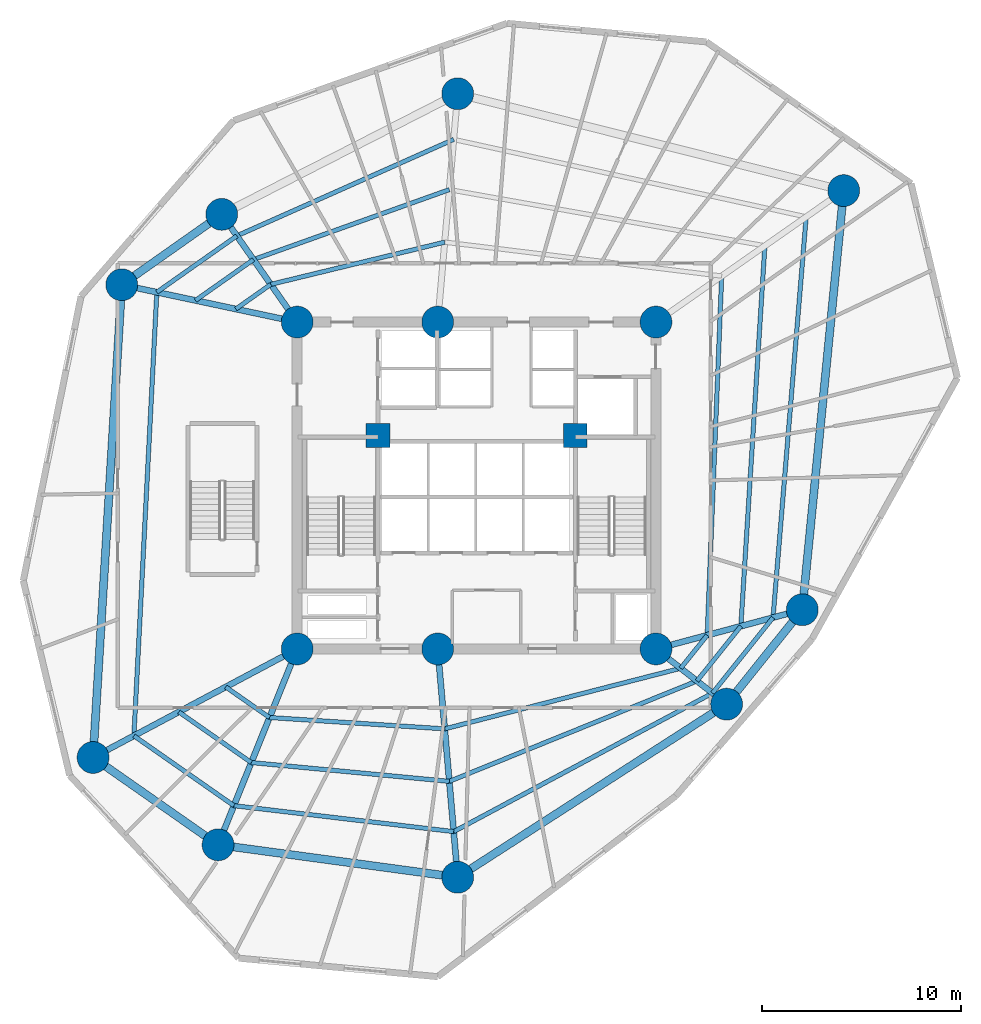
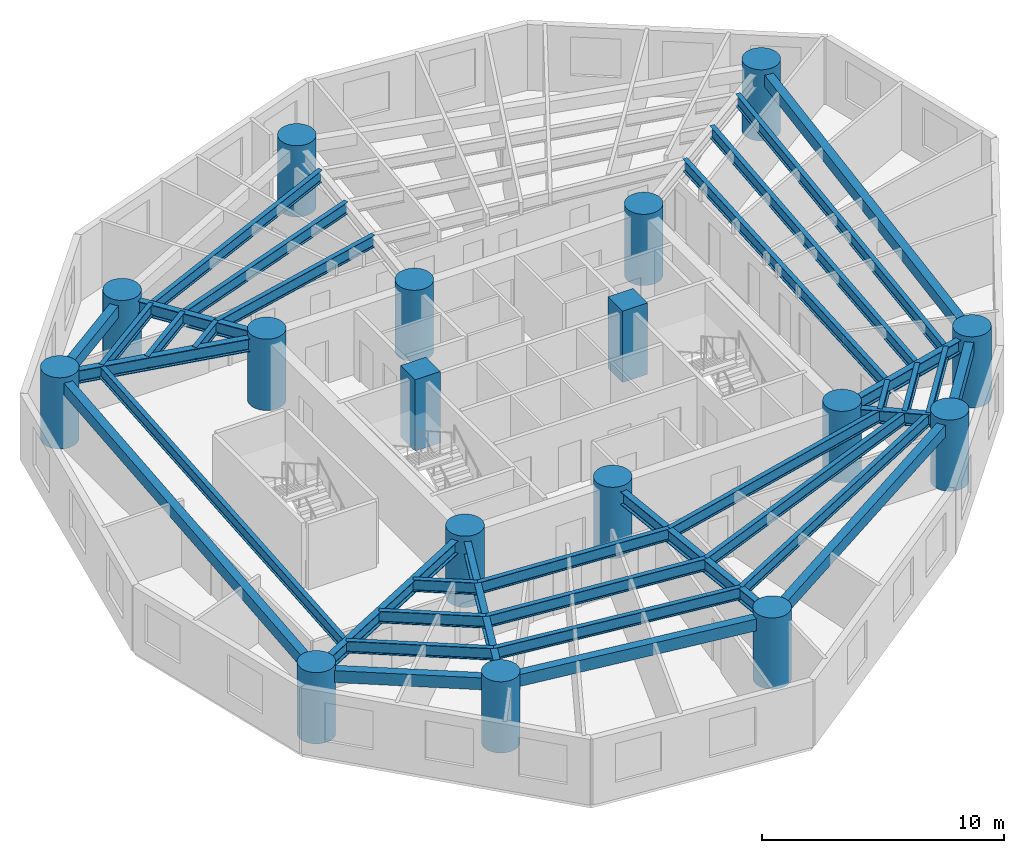
# One storey, part 1 of 8: 36 beams, 17 columns.
"""IFC4 building model written with IfcOpenShell, lengths in metres."""

from ifc_helpers import new_model, si_unit, direction, frame, origin, origin_with_axes, origin_2d, place, context, subcontext, project, spatial, rectangle, circle, i_section, extrude, source, transform, mapped, material, material_profile, profile_set, type_object, element, save


model = new_model("IFC4")

# Units and contexts
model_context = context("Model", 3, precision=1e-05, world=origin(), true_north=direction((0.0, 1.0)))
body_context = subcontext(model_context, "Body", "Model", "MODEL_VIEW")
ifc_project = project(units=[si_unit("LENGTHUNIT", "METRE"), si_unit("AREAUNIT", "SQUARE_METRE"), si_unit("VOLUMEUNIT", "CUBIC_METRE"), si_unit("PLANEANGLEUNIT", "RADIAN"), si_unit("MASSUNIT", "GRAM", prefix="KILO")], contexts=[model_context])

# Site, building, storey
site_placement = place(None, origin())
site = spatial("IfcSite", under=ifc_project, at=site_placement, CompositionType="ELEMENT")
building_placement = place(site_placement, origin())
building = spatial("IfcBuilding", under=site, at=building_placement, Name="Karkom Vertical University and Central Library", CompositionType="ELEMENT")
storey_placement = place(building_placement, frame((0.0, 0.0, 84.10009765625)))
storey = spatial("IfcBuildingStorey", under=building, at=storey_placement, Name="L22", CompositionType="ELEMENT", Elevation=84.10009765625)

# Columns
ifc_material_1 = material(Name="Concrete C50/60", Category="concrete")
ifc_material_profile_1 = material_profile(ifc_material_1, circle(Radius=0.800048828125, at=origin_2d()), Name="CFT-D1600")
ifc_profile_set_1 = profile_set([ifc_material_profile_1], Name="Concrete C50/60")
column_type_1 = type_object("IfcColumnType", Name="STR-COL-C-SC2", PredefinedType="COLUMN", material=ifc_profile_set_1)
shared_shape_1 = source(origin_with_axes(), body_context, "Body", "SweptSolid", [
    extrude(circle(Radius=0.800048828125, at=origin_2d()), origin(), (0.0, 0.0, 1.0), 3.599853515625),
])
for number, where, z_axis, x_axis, name in (
    (1, (19.5, 18.300048828125, 0.0), (0.0, 0.0, 1.0), (1.0, 0.0, 0.0), "Level 22 Spine Mega-Column SC-1"),
    (2, (26.550048828125, 18.300048828125, 0.0), (0.0, 0.0, 1.0), (1.0, 0.0, 0.0), "Level 22 Spine Mega-Column SC-2"),
    (3, (37.5, 18.300048828125, 0.0), (0.0, 0.0, 1.0), (1.0, 0.0, 0.0), "Level 22 Spine Mega-Column SC-3"),
    (4, (19.5, 34.699951171875, 0.0), (0.0, 0.0, 1.0), (1.0, 0.0, 0.0), "Level 22 Spine Mega-Column SC-4"),
    (5, (26.550048828125, 34.699951171875, 0.0), (0.0, 0.0, 1.0), (1.0, 0.0, 0.0), "Level 22 Spine Mega-Column SC-5"),
    (6, (37.5, 34.699951171875, 0.0), (0.0, 0.0, 1.0), (1.0, 0.0, 0.0), "Level 22 Spine Mega-Column SC-6"),
    (7, (44.841064453125, 20.26708984375, 0.0), (0.0, 0.0, 1.0), (1.0, 0.0, 0.0), "Level 22 Perimeter Mega-Column Z1-PC1"),
    (8, (46.919921875, 41.2958984375, 0.0), (0.0, 0.0, 1.0), (1.0, 0.0, 0.0), "Level 22 Perimeter Mega-Column Z1-PC2"),
    (9, (27.552001953125, 46.156005859375, 0.0), (0.0, 0.0, 1.0), (1.0, 0.0, 0.0), "Level 22 Perimeter Mega-Column Z1-PC3"),
    (10, (15.714111328125, 40.10595703125, 0.0), (0.0, 0.0, 1.0), (1.0, 0.0, 0.0), "Level 22 Perimeter Mega-Column Z1-PC4"),
    (11, (10.697021484375, 36.571044921875, 0.0), (0.0, 0.0, 1.0), (1.0, 0.0, 0.0), "Level 22 Perimeter Mega-Column Z1-PC5"),
    (12, (9.258056640625, 12.85400390625, 0.0), (0.0, 0.0, 1.0), (1.0, 0.0, 0.0), "Level 22 Perimeter Mega-Column Z1-PC6"),
    (13, (15.529052734375, 8.471923828125, 0.0), (0.0, 0.0, 1.0), (1.0, 0.0, 0.0), "Level 22 Perimeter Mega-Column Z1-PC7"),
    (14, (27.552001953125, 6.843994140625, 0.0), (0.0, 0.0, 1.0), (1.0, 0.0, 0.0), "Level 22 Perimeter Mega-Column Z1-PC8"),
    (15, (41.0458984375, 15.530029296875, 0.0), (0.0, 0.0, 1.0), (1.0, 0.0, 0.0), "Level 22 Perimeter Mega-Column Z1-PC9"),
):
    element("IfcColumn", number, at=place(storey_placement, frame(where, z_axis=z_axis, x_axis=x_axis)), inside=storey, type_object=column_type_1, Name=name, PredefinedType="COLUMN", context=body_context, shape_type="MappedRepresentation", body=[
        mapped(shared_shape_1, transform((0.0, 0.0, 0.0), scale=1.0)),
    ])
ifc_material_profile_2 = material_profile(ifc_material_1, rectangle(XDim=1.199951171875, YDim=1.199951171875, at=origin_2d()), Name="RC-1200x1200")
ifc_profile_set_2 = profile_set([ifc_material_profile_2], Name="Concrete C50/60")
column_type_2 = type_object("IfcColumnType", Name="STR-COL-C-CC1", PredefinedType="COLUMN", material=ifc_profile_set_2)
shared_shape_2 = source(origin_with_axes(), body_context, "Body", "SweptSolid", [
    extrude(rectangle(XDim=1.199951171875, YDim=1.199951171875, at=origin_2d()), origin(), (0.0, 0.0, 1.0), 3.599853515625),
])
for number, where, z_axis, x_axis, name in (
    (16, (23.550048828125, 29.0, 0.0), (0.0, 0.0, 1.0), (1.0, 0.0, 0.0), "Level 22 Core Node Column CC-1"),
    (17, (33.449951171875, 29.0, 0.0), (0.0, 0.0, 1.0), (1.0, 0.0, 0.0), "Level 22 Core Node Column CC-2"),
):
    element("IfcColumn", number, at=place(storey_placement, frame(where, z_axis=z_axis, x_axis=x_axis)), inside=storey, type_object=column_type_2, Name=name, PredefinedType="COLUMN", context=body_context, shape_type="MappedRepresentation", body=[
        mapped(shared_shape_2, transform((0.0, 0.0, 0.0), scale=1.0)),
    ])

# Beams
ifc_material_2 = material(Name="Steel S355", Category="steel")
ifc_material_profile_3 = material_profile(ifc_material_2, i_section(OverallWidth=0.300048828125, OverallDepth=0.64990234375, WebThickness=0.01611328125, FlangeThickness=0.031005859375, FilletRadius=0.027099609375, at=origin_2d()), Name="HE 650 B")
ifc_profile_set_3 = profile_set([ifc_material_profile_3], Name="Steel S355")
beam_type_1 = type_object("IfcBeamType", Name="STR-BM-SB-HE650", PredefinedType="USERDEFINED", material=ifc_profile_set_3)
shared_shape_3 = source(origin_with_axes(), body_context, "Body", "SweptSolid", [
    extrude(i_section(OverallWidth=0.300048828125, OverallDepth=0.64990234375, WebThickness=0.01611328125, FlangeThickness=0.031005859375, FilletRadius=0.027099609375, at=origin_2d()), origin(), (0.0, 0.0, 1.0), 7.60009765625),
])
beam_1_placement = place(storey_placement, frame((37.5, 18.300048828125, 3.0), z_axis=(0.965925539322, 0.258820116077, 0.0), x_axis=(-0.258820116077, 0.965925539322, 0.0)))
element("IfcBeam", 18, at=beam_1_placement, inside=storey, type_object=beam_type_1, Name="Level 22 Radial Frame Girder 01", ObjectType="GIRDER", PredefinedType="USERDEFINED", context=body_context, shape_type="MappedRepresentation", body=[
    mapped(shared_shape_3, transform((0.0, 0.0, 0.0), scale=1.0)),
])
shared_shape_4 = source(origin_with_axes(), body_context, "Body", "SweptSolid", [
    extrude(i_section(OverallWidth=0.300048828125, OverallDepth=0.64990234375, WebThickness=0.01611328125, FlangeThickness=0.031005859375, FilletRadius=0.027099609375, at=origin_2d()), origin(), (0.0, 0.0, 1.0), 11.499755859375),
])
beam_2_placement = place(storey_placement, frame((26.550048828125, 18.300048828125, 3.0), z_axis=(0.087127973109, -0.99619712723, 0.0), x_axis=(0.99619712723, 0.087127973109, 0.0)))
element("IfcBeam", 19, at=beam_2_placement, inside=storey, type_object=beam_type_1, Name="Level 22 Radial Frame Girder 08", ObjectType="GIRDER", PredefinedType="USERDEFINED", context=body_context, shape_type="MappedRepresentation", body=[
    mapped(shared_shape_4, transform((0.0, 0.0, 0.0), scale=1.0)),
])
shared_shape_5 = source(origin_with_axes(), body_context, "Body", "SweptSolid", [
    extrude(i_section(OverallWidth=0.300048828125, OverallDepth=0.64990234375, WebThickness=0.01611328125, FlangeThickness=0.031005859375, FilletRadius=0.027099609375, at=origin_2d()), origin(), (0.0, 0.0, 1.0), 6.599853515625),
])
beam_3_placement = place(storey_placement, frame((19.5, 34.699951171875, 3.0), z_axis=(-0.573633636671, 0.819111989218, 0.0), x_axis=(-0.819111989218, -0.573633636671, 0.0)))
element("IfcBeam", 20, at=beam_3_placement, inside=storey, type_object=beam_type_1, Name="Level 22 Radial Frame Girder 04", ObjectType="GIRDER", PredefinedType="USERDEFINED", context=body_context, shape_type="MappedRepresentation", body=[
    mapped(shared_shape_5, transform((0.0, 0.0, 0.0), scale=1.0)),
])
shared_shape_6 = source(origin_with_axes(), body_context, "Body", "SweptSolid", [
    extrude(i_section(OverallWidth=0.300048828125, OverallDepth=0.64990234375, WebThickness=0.01611328125, FlangeThickness=0.031005859375, FilletRadius=0.027099609375, at=origin_2d()), origin(), (0.0, 0.0, 1.0), 8.999755859375),
])
beam_4_placement = place(storey_placement, frame((19.5, 34.699951171875, 3.0), z_axis=(-0.978148438993, 0.207907747079, 0.0), x_axis=(-0.207907747079, -0.978148438993, 0.0)))
element("IfcBeam", 21, at=beam_4_placement, inside=storey, type_object=beam_type_1, Name="Level 22 Radial Frame Girder 05", ObjectType="GIRDER", PredefinedType="USERDEFINED", context=body_context, shape_type="MappedRepresentation", body=[
    mapped(shared_shape_6, transform((0.0, 0.0, 0.0), scale=1.0)),
])
shared_shape_7 = source(origin_with_axes(), body_context, "Body", "SweptSolid", [
    extrude(i_section(OverallWidth=0.300048828125, OverallDepth=0.64990234375, WebThickness=0.01611328125, FlangeThickness=0.031005859375, FilletRadius=0.027099609375, at=origin_2d()), origin(), (0.0, 0.0, 1.0), 11.599853515625),
])
beam_5_placement = place(storey_placement, frame((19.5, 18.300048828125, 3.0), z_axis=(-0.882936620635, -0.469492197957, 0.0), x_axis=(0.469492197957, -0.882936620635, 0.0)))
element("IfcBeam", 22, at=beam_5_placement, inside=storey, type_object=beam_type_1, Name="Level 22 Radial Frame Girder 06", ObjectType="GIRDER", PredefinedType="USERDEFINED", context=body_context, shape_type="MappedRepresentation", body=[
    mapped(shared_shape_7, transform((0.0, 0.0, 0.0), scale=1.0)),
])
shared_shape_8 = source(origin_with_axes(), body_context, "Body", "SweptSolid", [
    extrude(i_section(OverallWidth=0.300048828125, OverallDepth=0.64990234375, WebThickness=0.01611328125, FlangeThickness=0.031005859375, FilletRadius=0.027099609375, at=origin_2d()), origin(), (0.0, 0.0, 1.0), 10.60009765625),
])
beam_6_placement = place(storey_placement, frame((19.5, 18.300048828125, 3.0), z_axis=(-0.374616894394, -0.927179692635, 0.0), x_axis=(0.927179692635, -0.374616894394, 0.0)))
element("IfcBeam", 23, at=beam_6_placement, inside=storey, type_object=beam_type_1, Name="Level 22 Radial Frame Girder 07", ObjectType="GIRDER", PredefinedType="USERDEFINED", context=body_context, shape_type="MappedRepresentation", body=[
    mapped(shared_shape_8, transform((0.0, 0.0, 0.0), scale=1.0)),
])
shared_shape_9 = source(origin_with_axes(), body_context, "Body", "SweptSolid", [
    extrude(i_section(OverallWidth=0.300048828125, OverallDepth=0.64990234375, WebThickness=0.01611328125, FlangeThickness=0.031005859375, FilletRadius=0.027099609375, at=origin_2d()), origin(), (0.0, 0.0, 1.0), 4.49951171875),
])
beam_7_placement = place(storey_placement, frame((37.5, 18.300048828125, 3.0), z_axis=(0.788047405801, -0.615614559778, 0.0), x_axis=(0.615614559778, 0.788047405801, 0.0)))
element("IfcBeam", 24, at=beam_7_placement, inside=storey, type_object=beam_type_1, Name="Level 22 Radial Frame Girder 09", ObjectType="GIRDER", PredefinedType="USERDEFINED", context=body_context, shape_type="MappedRepresentation", body=[
    mapped(shared_shape_9, transform((0.0, 0.0, 0.0), scale=1.0)),
])
ifc_material_3 = material(Name="Precast concrete C45/55", Category="concrete")
ifc_material_profile_4 = material_profile(ifc_material_3, rectangle(XDim=0.39990234375, YDim=0.60009765625, at=origin_2d()), Name="SPB-400x600")
ifc_profile_set_4 = profile_set([ifc_material_profile_4], Name="Precast concrete C45/55")
beam_type_2 = type_object("IfcBeamType", Name="STR-BM-SP-1", PredefinedType="SPANDREL", material=ifc_profile_set_4)
shared_shape_10 = source(origin_with_axes(), body_context, "Body", "SweptSolid", [
    extrude(rectangle(XDim=0.39990234375, YDim=0.60009765625, at=origin_2d()), origin(), (0.0, 0.0, 1.0), 21.13134765625),
])
beam_8_placement = place(storey_placement, frame((44.841064453125, 20.26708984375, 3.02490234375), z_axis=(0.0983780471, 0.995149114379, 0.0), x_axis=(-0.995149114379, 0.0983780471, 0.0)))
element("IfcBeam", 25, at=beam_8_placement, inside=storey, type_object=beam_type_2, Name="Level 22 Perimeter Spandrel Beam 01", PredefinedType="SPANDREL", context=body_context, shape_type="MappedRepresentation", body=[
    mapped(shared_shape_10, transform((0.0, 0.0, 0.0), scale=1.0)),
])
shared_shape_11 = source(origin_with_axes(), body_context, "Body", "SweptSolid", [
    extrude(rectangle(XDim=0.39990234375, YDim=0.60009765625, at=origin_2d()), origin(), (0.0, 0.0, 1.0), 6.13720703125),
])
beam_9_placement = place(storey_placement, frame((15.714111328125, 40.10595703125, 3.02490234375), z_axis=(-0.817471365538, -0.575969240955, 0.0), x_axis=(0.575969240955, -0.817471365538, 0.0)))
element("IfcBeam", 26, at=beam_9_placement, inside=storey, type_object=beam_type_2, Name="Level 22 Perimeter Spandrel Beam 04", PredefinedType="SPANDREL", context=body_context, shape_type="MappedRepresentation", body=[
    mapped(shared_shape_11, transform((0.0, 0.0, 0.0), scale=1.0)),
])
shared_shape_12 = source(origin_with_axes(), body_context, "Body", "SweptSolid", [
    extrude(rectangle(XDim=0.39990234375, YDim=0.60009765625, at=origin_2d()), origin(), (0.0, 0.0, 1.0), 23.7607421875),
])
beam_10_placement = place(storey_placement, frame((10.697021484375, 36.571044921875, 3.02490234375), z_axis=(-0.060560827767, -0.998164508556, 0.0), x_axis=(0.998164508556, -0.060560827767, 0.0)))
element("IfcBeam", 27, at=beam_10_placement, inside=storey, type_object=beam_type_2, Name="Level 22 Perimeter Spandrel Beam 05", PredefinedType="SPANDREL", context=body_context, shape_type="MappedRepresentation", body=[
    mapped(shared_shape_12, transform((0.0, 0.0, 0.0), scale=1.0)),
])
shared_shape_13 = source(origin_with_axes(), body_context, "Body", "SweptSolid", [
    extrude(rectangle(XDim=0.39990234375, YDim=0.60009765625, at=origin_2d()), origin(), (0.0, 0.0, 1.0), 7.650390625),
])
beam_11_placement = place(storey_placement, frame((9.258056640625, 12.85400390625, 3.02490234375), z_axis=(0.819699409527, -0.572793922822, 0.0), x_axis=(0.572793922822, 0.819699409527, 0.0)))
element("IfcBeam", 28, at=beam_11_placement, inside=storey, type_object=beam_type_2, Name="Level 22 Perimeter Spandrel Beam 06", PredefinedType="SPANDREL", context=body_context, shape_type="MappedRepresentation", body=[
    mapped(shared_shape_13, transform((0.0, 0.0, 0.0), scale=1.0)),
])
shared_shape_14 = source(origin_with_axes(), body_context, "Body", "SweptSolid", [
    extrude(rectangle(XDim=0.39990234375, YDim=0.60009765625, at=origin_2d()), origin(), (0.0, 0.0, 1.0), 12.132568359375),
])
beam_12_placement = place(storey_placement, frame((15.529052734375, 8.471923828125, 3.02490234375), z_axis=(0.990957319008, -0.134177464223, 0.0), x_axis=(0.134177464223, 0.990957319008, 0.0)))
element("IfcBeam", 29, at=beam_12_placement, inside=storey, type_object=beam_type_2, Name="Level 22 Perimeter Spandrel Beam 07", PredefinedType="SPANDREL", context=body_context, shape_type="MappedRepresentation", body=[
    mapped(shared_shape_14, transform((0.0, 0.0, 0.0), scale=1.0)),
])
shared_shape_15 = source(origin_with_axes(), body_context, "Body", "SweptSolid", [
    extrude(rectangle(XDim=0.39990234375, YDim=0.60009765625, at=origin_2d()), origin(), (0.0, 0.0, 1.0), 16.0478515625),
])
beam_13_placement = place(storey_placement, frame((27.552001953125, 6.843994140625, 3.02490234375), z_axis=(0.84085555045, 0.541259589548, 0.0), x_axis=(-0.541259589548, 0.84085555045, 0.0)))
element("IfcBeam", 30, at=beam_13_placement, inside=storey, type_object=beam_type_2, Name="Level 22 Perimeter Spandrel Beam 08", PredefinedType="SPANDREL", context=body_context, shape_type="MappedRepresentation", body=[
    mapped(shared_shape_15, transform((0.0, 0.0, 0.0), scale=1.0)),
])
shared_shape_16 = source(origin_with_axes(), body_context, "Body", "SweptSolid", [
    extrude(rectangle(XDim=0.39990234375, YDim=0.60009765625, at=origin_2d()), origin(), (0.0, 0.0, 1.0), 6.06982421875),
])
beam_14_placement = place(storey_placement, frame((41.0458984375, 15.530029296875, 3.02490234375), z_axis=(0.625249167344, 0.780425190992, 0.0), x_axis=(-0.780425190992, 0.625249167344, 0.0)))
element("IfcBeam", 31, at=beam_14_placement, inside=storey, type_object=beam_type_2, Name="Level 22 Perimeter Spandrel Beam 09", PredefinedType="SPANDREL", context=body_context, shape_type="MappedRepresentation", body=[
    mapped(shared_shape_16, transform((0.0, 0.0, 0.0), scale=1.0)),
])
ifc_material_profile_5 = material_profile(ifc_material_2, i_section(OverallWidth=0.219970703125, OverallDepth=0.60009765625, WebThickness=0.011962890625, FlangeThickness=0.01904296875, FilletRadius=0.02392578125, at=origin_2d()), Name="IPE 600")
ifc_profile_set_5 = profile_set([ifc_material_profile_5], Name="Steel S355")
beam_type_3 = type_object("IfcBeamType", Name="STR-BM-SB-IPE600", PredefinedType="BEAM", material=ifc_profile_set_5)
shared_shape_17 = source(origin_with_axes(), body_context, "Body", "SweptSolid", [
    extrude(i_section(OverallWidth=0.219970703125, OverallDepth=0.60009765625, WebThickness=0.011962890625, FlangeThickness=0.01904296875, FilletRadius=0.02392578125, at=origin_2d()), origin(), (0.0, 0.0, 1.0), 18.03466796875),
])
beam_15_placement = place(storey_placement, frame((40.0693359375, 18.988525390625, 3.02490234375), z_axis=(0.04035458262, 0.999185422062, 0.0), x_axis=(-0.999185422062, 0.04035458262, 0.0)))
element("IfcBeam", 32, at=beam_15_placement, inside=storey, type_object=beam_type_3, Name="Level 22 Secondary Composite Floor Beam 1.01", PredefinedType="BEAM", context=body_context, shape_type="MappedRepresentation", body=[
    mapped(shared_shape_17, transform((0.0, 0.0, 0.0), scale=1.0)),
])
shared_shape_18 = source(origin_with_axes(), body_context, "Body", "SweptSolid", [
    extrude(i_section(OverallWidth=0.219970703125, OverallDepth=0.60009765625, WebThickness=0.011962890625, FlangeThickness=0.01904296875, FilletRadius=0.02392578125, at=origin_2d()), origin(), (0.0, 0.0, 1.0), 8.97900390625),
])
beam_16_placement = place(storey_placement, frame((26.900634765625, 38.709716796875, 3.02490234375), z_axis=(-0.971790837509, -0.235844372697, 0.0), x_axis=(0.235844372697, -0.971790837509, 0.0)))
element("IfcBeam", 33, at=beam_16_placement, inside=storey, type_object=beam_type_3, Name="Level 22 Secondary Composite Floor Beam 1.03", PredefinedType="BEAM", context=body_context, shape_type="MappedRepresentation", body=[
    mapped(shared_shape_18, transform((0.0, 0.0, 0.0), scale=1.0)),
])
shared_shape_19 = source(origin_with_axes(), body_context, "Body", "SweptSolid", [
    extrude(i_section(OverallWidth=0.219970703125, OverallDepth=0.60009765625, WebThickness=0.011962890625, FlangeThickness=0.01904296875, FilletRadius=0.02392578125, at=origin_2d()), origin(), (0.0, 0.0, 1.0), 2.14794921875),
])
beam_17_placement = place(storey_placement, frame((18.1748046875, 36.592041015625, 3.02490234375), z_axis=(-0.817433780971, -0.576022580918, 0.0), x_axis=(0.576022580918, -0.817433780971, 0.0)))
element("IfcBeam", 34, at=beam_17_placement, inside=storey, type_object=beam_type_3, Name="Level 22 Secondary Composite Floor Beam 1.04", PredefinedType="BEAM", context=body_context, shape_type="MappedRepresentation", body=[
    mapped(shared_shape_19, transform((0.0, 0.0, 0.0), scale=1.0)),
])
shared_shape_20 = source(origin_with_axes(), body_context, "Body", "SweptSolid", [
    extrude(i_section(OverallWidth=0.219970703125, OverallDepth=0.60009765625, WebThickness=0.011962890625, FlangeThickness=0.01904296875, FilletRadius=0.02392578125, at=origin_2d()), origin(), (0.0, 0.0, 1.0), 2.677490234375),
])
beam_18_placement = place(storey_placement, frame((15.915283203125, 16.393798828125, 3.02490234375), z_axis=(0.819702839548, -0.572789014243, 0.0), x_axis=(0.572789014243, 0.819702839548, 0.0)))
element("IfcBeam", 35, at=beam_18_placement, inside=storey, type_object=beam_type_3, Name="Level 22 Secondary Composite Floor Beam 1.06", PredefinedType="BEAM", context=body_context, shape_type="MappedRepresentation", body=[
    mapped(shared_shape_20, transform((0.0, 0.0, 0.0), scale=1.0)),
])
shared_shape_21 = source(origin_with_axes(), body_context, "Body", "SweptSolid", [
    extrude(i_section(OverallWidth=0.219970703125, OverallDepth=0.60009765625, WebThickness=0.011962890625, FlangeThickness=0.01904296875, FilletRadius=0.02392578125, at=origin_2d()), origin(), (0.0, 0.0, 1.0), 8.80908203125),
])
beam_19_placement = place(storey_placement, frame((18.110107421875, 14.860107421875, 3.02490234375), z_axis=(0.997905617906, -0.064686766433, 0.0), x_axis=(0.064686766433, 0.997905617906, 0.0)))
element("IfcBeam", 36, at=beam_19_placement, inside=storey, type_object=beam_type_3, Name="Level 22 Secondary Composite Floor Beam 1.07", PredefinedType="BEAM", context=body_context, shape_type="MappedRepresentation", body=[
    mapped(shared_shape_21, transform((0.0, 0.0, 0.0), scale=1.0)),
])
shared_shape_22 = source(origin_with_axes(), body_context, "Body", "SweptSolid", [
    extrude(i_section(OverallWidth=0.219970703125, OverallDepth=0.60009765625, WebThickness=0.011962890625, FlangeThickness=0.01904296875, FilletRadius=0.02392578125, at=origin_2d()), origin(), (0.0, 0.0, 1.0), 12.224609375),
])
beam_20_placement = place(storey_placement, frame((26.900634765625, 14.290283203125, 3.02490234375), z_axis=(0.968580403264, 0.248700628092, 0.0), x_axis=(-0.248700628092, 0.968580403264, 0.0)))
element("IfcBeam", 37, at=beam_20_placement, inside=storey, type_object=beam_type_3, Name="Level 22 Secondary Composite Floor Beam 1.08", PredefinedType="BEAM", context=body_context, shape_type="MappedRepresentation", body=[
    mapped(shared_shape_22, transform((0.0, 0.0, 0.0), scale=1.0)),
])
shared_shape_23 = source(origin_with_axes(), body_context, "Body", "SweptSolid", [
    extrude(i_section(OverallWidth=0.219970703125, OverallDepth=0.60009765625, WebThickness=0.011962890625, FlangeThickness=0.01904296875, FilletRadius=0.02392578125, at=origin_2d()), origin(), (0.0, 0.0, 1.0), 2.124267578125),
])
beam_21_placement = place(storey_placement, frame((38.7412109375, 17.33056640625, 3.02490234375), z_axis=(0.625199471959, 0.780465002587, 0.0), x_axis=(-0.780465002587, 0.625199471959, 0.0)))
element("IfcBeam", 38, at=beam_21_placement, inside=storey, type_object=beam_type_3, Name="Level 22 Secondary Composite Floor Beam 1.09", PredefinedType="BEAM", context=body_context, shape_type="MappedRepresentation", body=[
    mapped(shared_shape_23, transform((0.0, 0.0, 0.0), scale=1.0)),
])
shared_shape_24 = source(origin_with_axes(), body_context, "Body", "SweptSolid", [
    extrude(i_section(OverallWidth=0.219970703125, OverallDepth=0.60009765625, WebThickness=0.011962890625, FlangeThickness=0.01904296875, FilletRadius=0.02392578125, at=origin_2d()), origin(), (0.0, 0.0, 1.0), 19.122802734375),
])
beam_22_placement = place(storey_placement, frame((41.7578125, 19.44091796875, 3.02490234375), z_axis=(0.063056264597, 0.998009973645, 0.0), x_axis=(-0.998009973645, 0.063056264597, 0.0)))
element("IfcBeam", 39, at=beam_22_placement, inside=storey, type_object=beam_type_3, Name="Level 22 Secondary Composite Floor Beam 2.01", PredefinedType="BEAM", context=body_context, shape_type="MappedRepresentation", body=[
    mapped(shared_shape_24, transform((0.0, 0.0, 0.0), scale=1.0)),
])
shared_shape_25 = source(origin_with_axes(), body_context, "Body", "SweptSolid", [
    extrude(i_section(OverallWidth=0.219970703125, OverallDepth=0.60009765625, WebThickness=0.011962890625, FlangeThickness=0.01904296875, FilletRadius=0.02392578125, at=origin_2d()), origin(), (0.0, 0.0, 1.0), 10.4345703125),
])
beam_23_placement = place(storey_placement, frame((27.131103515625, 41.344482421875, 3.02490234375), z_axis=(-0.941759378798, -0.336287484819, 0.0), x_axis=(0.336287484819, -0.941759378798, 0.0)))
element("IfcBeam", 40, at=beam_23_placement, inside=storey, type_object=beam_type_3, Name="Level 22 Secondary Composite Floor Beam 2.03", PredefinedType="BEAM", context=body_context, shape_type="MappedRepresentation", body=[
    mapped(shared_shape_25, transform((0.0, 0.0, 0.0), scale=1.0)),
])
shared_shape_26 = source(origin_with_axes(), body_context, "Body", "SweptSolid", [
    extrude(i_section(OverallWidth=0.219970703125, OverallDepth=0.60009765625, WebThickness=0.011962890625, FlangeThickness=0.01904296875, FilletRadius=0.02392578125, at=origin_2d()), origin(), (0.0, 0.0, 1.0), 3.5595703125),
])
beam_24_placement = place(storey_placement, frame((17.30419921875, 37.83544921875, 3.02490234375), z_axis=(-0.817465552849, -0.575977490798, 0.0), x_axis=(0.575977490798, -0.817465552849, 0.0)))
element("IfcBeam", 41, at=beam_24_placement, inside=storey, type_object=beam_type_3, Name="Level 22 Secondary Composite Floor Beam 2.04", PredefinedType="BEAM", context=body_context, shape_type="MappedRepresentation", body=[
    mapped(shared_shape_26, transform((0.0, 0.0, 0.0), scale=1.0)),
])
shared_shape_27 = source(origin_with_axes(), body_context, "Body", "SweptSolid", [
    extrude(i_section(OverallWidth=0.219970703125, OverallDepth=0.60009765625, WebThickness=0.011962890625, FlangeThickness=0.01904296875, FilletRadius=0.02392578125, at=origin_2d()), origin(), (0.0, 0.0, 1.0), 4.437255859375),
])
beam_25_placement = place(storey_placement, frame((13.5595703125, 15.141357421875, 3.02490234375), z_axis=(0.819712425733, -0.572775295468, 0.0), x_axis=(0.572775295468, 0.819712425733, 0.0)))
element("IfcBeam", 42, at=beam_25_placement, inside=storey, type_object=beam_type_3, Name="Level 22 Secondary Composite Floor Beam 2.06", PredefinedType="BEAM", context=body_context, shape_type="MappedRepresentation", body=[
    mapped(shared_shape_27, transform((0.0, 0.0, 0.0), scale=1.0)),
])
shared_shape_28 = source(origin_with_axes(), body_context, "Body", "SweptSolid", [
    extrude(i_section(OverallWidth=0.219970703125, OverallDepth=0.60009765625, WebThickness=0.011962890625, FlangeThickness=0.01904296875, FilletRadius=0.02392578125, at=origin_2d()), origin(), (0.0, 0.0, 1.0), 9.97900390625),
])
beam_26_placement = place(storey_placement, frame((17.19677734375, 12.599853515625, 3.02490234375), z_axis=(0.995512389915, -0.094631292526, 0.0), x_axis=(0.094631292526, 0.995512389915, 0.0)))
element("IfcBeam", 43, at=beam_26_placement, inside=storey, type_object=beam_type_3, Name="Level 22 Secondary Composite Floor Beam 2.07", PredefinedType="BEAM", context=body_context, shape_type="MappedRepresentation", body=[
    mapped(shared_shape_28, transform((0.0, 0.0, 0.0), scale=1.0)),
])
shared_shape_29 = source(origin_with_axes(), body_context, "Body", "SweptSolid", [
    extrude(i_section(OverallWidth=0.219970703125, OverallDepth=0.60009765625, WebThickness=0.011962890625, FlangeThickness=0.01904296875, FilletRadius=0.02392578125, at=origin_2d()), origin(), (0.0, 0.0, 1.0), 13.407958984375),
])
beam_27_placement = place(storey_placement, frame((27.131103515625, 11.655517578125, 3.02490234375), z_axis=(0.926727273371, 0.375734694685, 0.0), x_axis=(-0.375734694685, 0.926727273371, 0.0)))
element("IfcBeam", 44, at=beam_27_placement, inside=storey, type_object=beam_type_3, Name="Level 22 Secondary Composite Floor Beam 2.08", PredefinedType="BEAM", context=body_context, shape_type="MappedRepresentation", body=[
    mapped(shared_shape_29, transform((0.0, 0.0, 0.0), scale=1.0)),
])
shared_shape_30 = source(origin_with_axes(), body_context, "Body", "SweptSolid", [
    extrude(i_section(OverallWidth=0.219970703125, OverallDepth=0.60009765625, WebThickness=0.011962890625, FlangeThickness=0.01904296875, FilletRadius=0.02392578125, at=origin_2d()), origin(), (0.0, 0.0, 1.0), 3.5205078125),
])
beam_28_placement = place(storey_placement, frame((39.556640625, 16.693359375, 3.02490234375), z_axis=(0.62523614548, 0.780435623473, 0.0), x_axis=(-0.780435623473, 0.62523614548, 0.0)))
element("IfcBeam", 45, at=beam_28_placement, inside=storey, type_object=beam_type_3, Name="Level 22 Secondary Composite Floor Beam 2.09", PredefinedType="BEAM", context=body_context, shape_type="MappedRepresentation", body=[
    mapped(shared_shape_30, transform((0.0, 0.0, 0.0), scale=1.0)),
])
shared_shape_31 = source(origin_with_axes(), body_context, "Body", "SweptSolid", [
    extrude(i_section(OverallWidth=0.219970703125, OverallDepth=0.60009765625, WebThickness=0.011962890625, FlangeThickness=0.01904296875, FilletRadius=0.02392578125, at=origin_2d()), origin(), (0.0, 0.0, 1.0), 20.171875),
])
beam_29_placement = place(storey_placement, frame((43.372802734375, 19.87353515625, 3.02490234375), z_axis=(0.082445490935, 0.996595575459, 0.0), x_axis=(-0.996595575459, 0.082445490935, 0.0)))
element("IfcBeam", 46, at=beam_29_placement, inside=storey, type_object=beam_type_3, Name="Level 22 Secondary Composite Floor Beam 3.01", PredefinedType="BEAM", context=body_context, shape_type="MappedRepresentation", body=[
    mapped(shared_shape_31, transform((0.0, 0.0, 0.0), scale=1.0)),
])
shared_shape_32 = source(origin_with_axes(), body_context, "Body", "SweptSolid", [
    extrude(i_section(OverallWidth=0.219970703125, OverallDepth=0.60009765625, WebThickness=0.011962890625, FlangeThickness=0.01904296875, FilletRadius=0.02392578125, at=origin_2d()), origin(), (0.0, 0.0, 1.0), 11.908203125),
])
beam_30_placement = place(storey_placement, frame((27.3515625, 43.86474609375, 3.02490234375), z_axis=(-0.913682996781, -0.406427584441, 0.0), x_axis=(0.406427584441, -0.913682996781, 0.0)))
element("IfcBeam", 47, at=beam_30_placement, inside=storey, type_object=beam_type_3, Name="Level 22 Secondary Composite Floor Beam 3.03", PredefinedType="BEAM", context=body_context, shape_type="MappedRepresentation", body=[
    mapped(shared_shape_32, transform((0.0, 0.0, 0.0), scale=1.0)),
])
shared_shape_33 = source(origin_with_axes(), body_context, "Body", "SweptSolid", [
    extrude(i_section(OverallWidth=0.219970703125, OverallDepth=0.60009765625, WebThickness=0.011962890625, FlangeThickness=0.01904296875, FilletRadius=0.02392578125, at=origin_2d()), origin(), (0.0, 0.0, 1.0), 4.909912109375),
])
beam_31_placement = place(storey_placement, frame((16.47119140625, 39.02490234375, 3.02490234375), z_axis=(-0.817452635759, -0.575995823153, 0.0), x_axis=(0.575995823153, -0.817452635759, 0.0)))
element("IfcBeam", 48, at=beam_31_placement, inside=storey, type_object=beam_type_3, Name="Level 22 Secondary Composite Floor Beam 3.04", PredefinedType="BEAM", context=body_context, shape_type="MappedRepresentation", body=[
    mapped(shared_shape_33, transform((0.0, 0.0, 0.0), scale=1.0)),
])
shared_shape_34 = source(origin_with_axes(), body_context, "Body", "SweptSolid", [
    extrude(i_section(OverallWidth=0.219970703125, OverallDepth=0.60009765625, WebThickness=0.011962890625, FlangeThickness=0.01904296875, FilletRadius=0.02392578125, at=origin_2d()), origin(), (0.0, 0.0, 1.0), 22.283447265625),
])
beam_32_placement = place(storey_placement, frame((12.45751953125, 36.19677734375, 3.02490234375), z_axis=(-0.051658288147, -0.998664819279, 0.0), x_axis=(0.998664819279, -0.051658288147, 0.0)))
element("IfcBeam", 49, at=beam_32_placement, inside=storey, type_object=beam_type_3, Name="Level 22 Secondary Composite Floor Beam 3.05", PredefinedType="BEAM", context=body_context, shape_type="MappedRepresentation", body=[
    mapped(shared_shape_34, transform((0.0, 0.0, 0.0), scale=1.0)),
])
shared_shape_35 = source(origin_with_axes(), body_context, "Body", "SweptSolid", [
    extrude(i_section(OverallWidth=0.219970703125, OverallDepth=0.60009765625, WebThickness=0.011962890625, FlangeThickness=0.01904296875, FilletRadius=0.02392578125, at=origin_2d()), origin(), (0.0, 0.0, 1.0), 6.120361328125),
])
beam_33_placement = place(storey_placement, frame((11.306396484375, 13.943115234375, 3.02490234375), z_axis=(0.81970577287, -0.572784816422, 0.0), x_axis=(0.572784816422, 0.81970577287, 0.0)))
element("IfcBeam", 50, at=beam_33_placement, inside=storey, type_object=beam_type_3, Name="Level 22 Secondary Composite Floor Beam 3.06", PredefinedType="BEAM", context=body_context, shape_type="MappedRepresentation", body=[
    mapped(shared_shape_35, transform((0.0, 0.0, 0.0), scale=1.0)),
])
shared_shape_36 = source(origin_with_axes(), body_context, "Body", "SweptSolid", [
    extrude(i_section(OverallWidth=0.219970703125, OverallDepth=0.60009765625, WebThickness=0.011962890625, FlangeThickness=0.01904296875, FilletRadius=0.02392578125, at=origin_2d()), origin(), (0.0, 0.0, 1.0), 11.10498046875),
])
beam_34_placement = place(storey_placement, frame((16.3232421875, 10.4375, 3.02490234375), z_axis=(0.993100390447, -0.117267278018, 0.0), x_axis=(0.117267278018, 0.993100390447, 0.0)))
element("IfcBeam", 51, at=beam_34_placement, inside=storey, type_object=beam_type_3, Name="Level 22 Secondary Composite Floor Beam 3.07", PredefinedType="BEAM", context=body_context, shape_type="MappedRepresentation", body=[
    mapped(shared_shape_36, transform((0.0, 0.0, 0.0), scale=1.0)),
])
shared_shape_37 = source(origin_with_axes(), body_context, "Body", "SweptSolid", [
    extrude(i_section(OverallWidth=0.219970703125, OverallDepth=0.60009765625, WebThickness=0.011962890625, FlangeThickness=0.01904296875, FilletRadius=0.02392578125, at=origin_2d()), origin(), (0.0, 0.0, 1.0), 14.727783203125),
])
beam_35_placement = place(storey_placement, frame((27.3515625, 9.13525390625, 3.02490234375), z_axis=(0.881697726656, 0.471814708131, 0.0), x_axis=(-0.471814708131, 0.881697726656, 0.0)))
element("IfcBeam", 52, at=beam_35_placement, inside=storey, type_object=beam_type_3, Name="Level 22 Secondary Composite Floor Beam 3.08", PredefinedType="BEAM", context=body_context, shape_type="MappedRepresentation", body=[
    mapped(shared_shape_37, transform((0.0, 0.0, 0.0), scale=1.0)),
])
shared_shape_38 = source(origin_with_axes(), body_context, "Body", "SweptSolid", [
    extrude(i_section(OverallWidth=0.219970703125, OverallDepth=0.60009765625, WebThickness=0.011962890625, FlangeThickness=0.01904296875, FilletRadius=0.02392578125, at=origin_2d()), origin(), (0.0, 0.0, 1.0), 4.855712890625),
])
beam_36_placement = place(storey_placement, frame((40.3369140625, 16.083984375, 3.02490234375), z_axis=(0.62522835738, 0.780441862747, 0.0), x_axis=(-0.780441862747, 0.62522835738, 0.0)))
element("IfcBeam", 53, at=beam_36_placement, inside=storey, type_object=beam_type_3, Name="Level 22 Secondary Composite Floor Beam 3.09", PredefinedType="BEAM", context=body_context, shape_type="MappedRepresentation", body=[
    mapped(shared_shape_38, transform((0.0, 0.0, 0.0), scale=1.0)),
])

save(model, "model.ifc")
